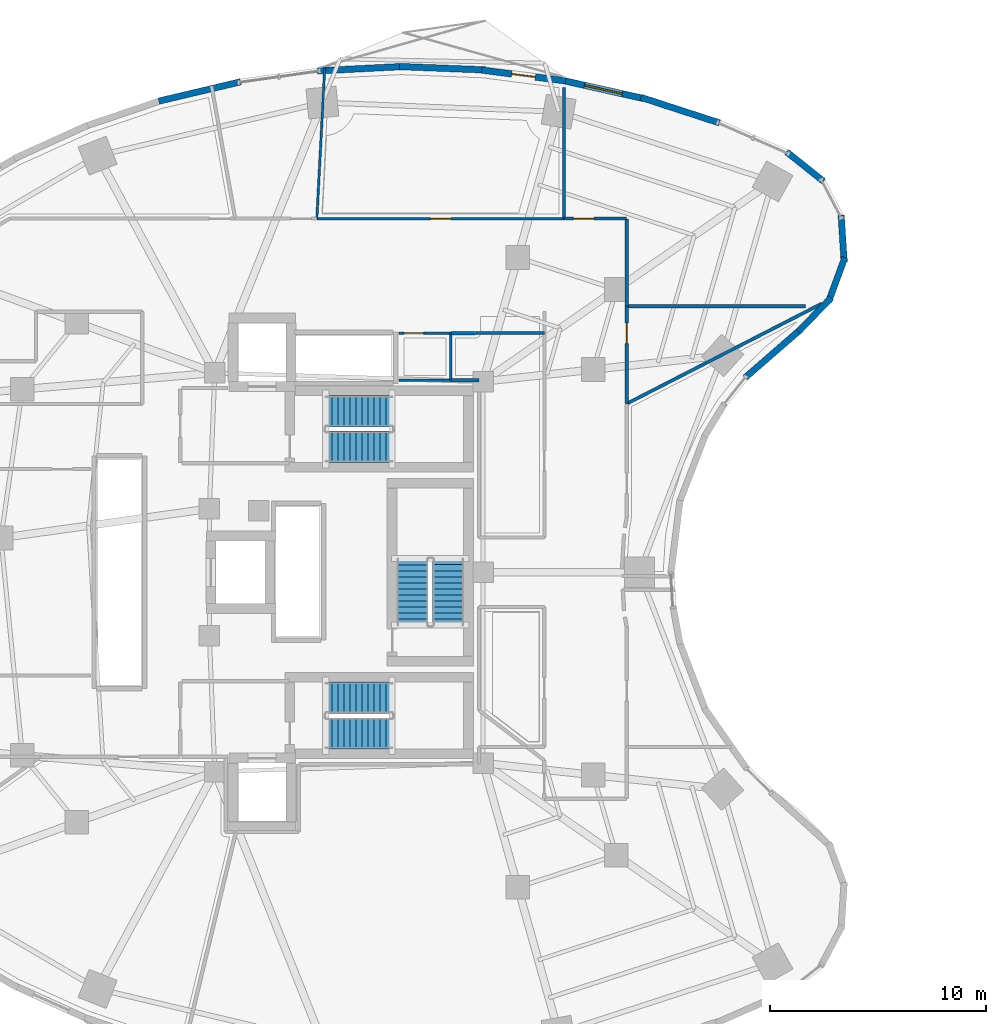
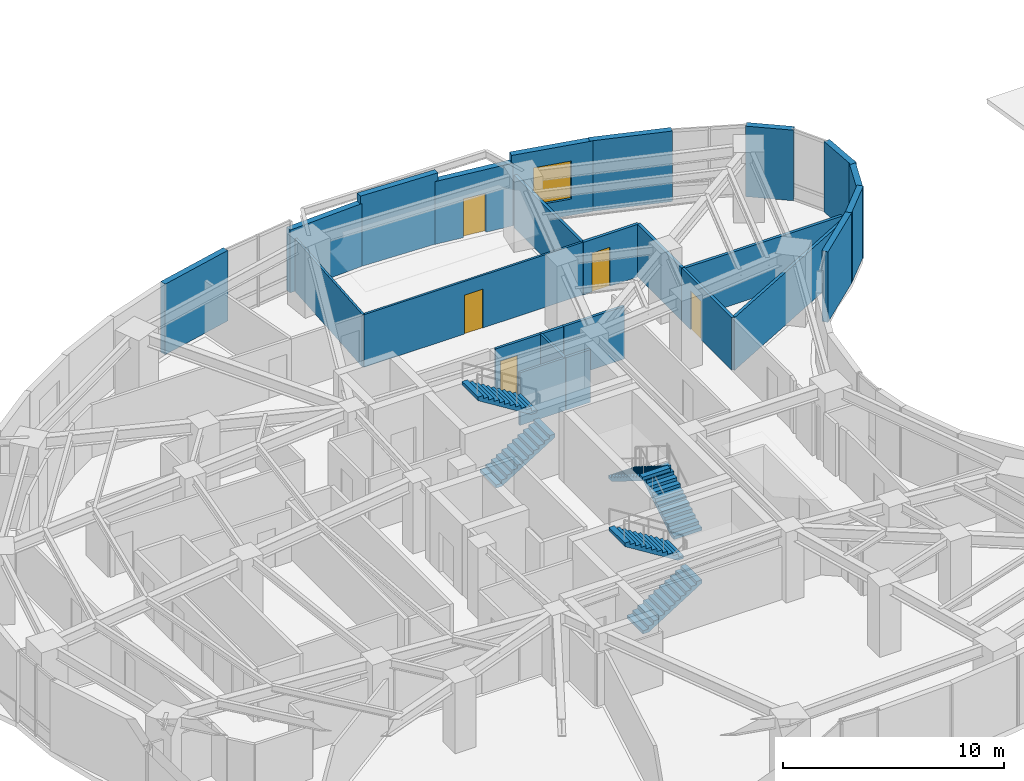
# One storey, part 14 of 17: 25 walls, 6 stair flights, 5 doors, 1 window, 6 openings, 3 elements without a shape of their own.
"""IFC4 building model written with IfcOpenShell, lengths in metres."""

from ifc_helpers import new_model, si_unit, direction, frame, frame_2d, origin, place, context, subcontext, project, spatial, polyline, rectangle, outline, extrude, material, layer, layer_set, type_object, element, fill, aggregate, save


model = new_model("IFC4")

# Units and contexts
model_context = context("Model", 3, precision=1e-05, world=origin(), true_north=direction((0.0, 1.0)))
body_context = subcontext(model_context, "Body", "Model", "MODEL_VIEW")
ifc_project = project(units=[si_unit("LENGTHUNIT", "METRE"), si_unit("AREAUNIT", "SQUARE_METRE"), si_unit("VOLUMEUNIT", "CUBIC_METRE"), si_unit("PLANEANGLEUNIT", "RADIAN"), si_unit("MASSUNIT", "GRAM", prefix="KILO")], contexts=[model_context])

# Site, building, storey
site_placement = place(None, origin())
site = spatial("IfcSite", under=ifc_project, at=site_placement, CompositionType="ELEMENT")
building_placement = place(site_placement, origin())
building = spatial("IfcBuilding", under=site, at=building_placement, Name="Korentha Bioscience Tower", CompositionType="ELEMENT")
storey_placement = place(building_placement, frame((0.0, 0.0, 25.800048828125)))
storey = spatial("IfcBuildingStorey", under=building, at=storey_placement, Name="L05", CompositionType="ELEMENT", Elevation=25.800048828125)

# Wall, opening, door
ifc_material_1 = material(Name="Double-Stud Acoustic Gypsum", Category="gypsum")
ifc_layer_1 = layer(ifc_material_1, 0.14990234375, Name="Double-Stud Acoustic Gypsum")
ifc_layer_set_1 = layer_set([ifc_layer_1], Name="Double-Stud Acoustic Gypsum (IW-L150)")
wall_type_1 = type_object("IfcWallType", Name="Acoustic Laboratory Partition Wall 150", PredefinedType="PARTITIONING", material=ifc_layer_set_1)
wall_1_placement = place(storey_placement, frame((44.2099609375, 34.829833984375, 0.0), z_axis=(0.0, 0.0, 1.0), x_axis=(0.0, 1.0, 0.0)))
wall_1 = element("IfcWall", 1, at=wall_1_placement, inside=storey, type_object=wall_type_1, Name="L05 Robotic Liquid-Handling Suite 09 Entrance Wall", PredefinedType="PARTITIONING", context=body_context, shape_type="SweptSolid", body=[
    extrude(rectangle(XDim=4.51806640625, YDim=0.14990234375, at=frame_2d((2.259033203125, 0.0))), origin(), (0.0, 0.0, 1.0), 2.909912109375),
])
opening_1_placement = place(wall_1_placement, frame((2.77734375, 0.0, 0.0)))
opening_1 = element("IfcOpeningElement", 2, at=opening_1_placement, cuts=wall_1, Name="Opening ID-10L", PredefinedType="OPENING", context=body_context, shape_type="SweptSolid", body=[
    extrude(rectangle(XDim=0.949951171875, YDim=2.14990234375, at=frame_2d((0.47509765625, 1.074951171875))), frame((0.0, 0.08984375, 0.0), z_axis=(0.0, -1.0, 0.0), x_axis=(1.0, 0.0, 0.0)), (0.0, 0.0, 1.0), 0.1796875),
])
ifc_material_2 = material(Name="Phenolic Laminate Timber Core", Category="wood")
door_type_1 = type_object("IfcDoorType", Name="Laboratory Single Leaf Door 950x2150 Left", OperationType="SINGLE_SWING_LEFT", PredefinedType="DOOR", material=ifc_material_2)
door_1_placement = place(opening_1_placement, origin())
door_1 = element("IfcDoor", 3, at=door_1_placement, inside=storey, type_object=door_type_1, Name="L05 Robotic Liquid-Handling Suite 09 Door", OperationType="SINGLE_SWING_LEFT", OverallHeight=2.14990234375, OverallWidth=0.949951171875, PredefinedType="DOOR", context=body_context, shape_type="SweptSolid", body=[
    extrude(rectangle(XDim=0.949951171875, YDim=2.14990234375, at=frame_2d((0.47509765625, 1.074951171875))), frame((0.0, 0.02490234375, 0.0), z_axis=(0.0, -1.0, 0.0), x_axis=(1.0, 0.0, 0.0)), (0.0, 0.0, 1.0), 0.050048828125),
])
fill(opening_1, door_1)

wall_2_placement = place(storey_placement, frame((44.199951171875, 43.409912109375, 0.0), z_axis=(0.0, 0.0, 1.0), x_axis=(-1.0, 0.0, 0.0)))
wall_2 = element("IfcWall", 4, at=wall_2_placement, inside=storey, type_object=wall_type_1, Name="L05 Optical Metrology Darkroom 11 Entrance Wall", PredefinedType="PARTITIONING", context=body_context, shape_type="SweptSolid", body=[
    extrude(rectangle(XDim=2.89794921875, YDim=0.14990234375, at=frame_2d((1.448974609375, 0.0))), origin(), (0.0, 0.0, 1.0), 2.909912109375),
])
opening_2_placement = place(wall_2_placement, frame((1.5126953125, 0.0, 0.0)))
opening_2 = element("IfcOpeningElement", 5, at=opening_2_placement, cuts=wall_2, Name="Opening ID-10L", PredefinedType="OPENING", context=body_context, shape_type="SweptSolid", body=[
    extrude(rectangle(XDim=0.949951171875, YDim=2.14990234375, at=frame_2d((0.47509765625, 1.074951171875))), frame((0.0, 0.08984375, 0.0), z_axis=(0.0, -1.0, 0.0), x_axis=(1.0, 0.0, 0.0)), (0.0, 0.0, 1.0), 0.1796875),
])
door_2_placement = place(opening_2_placement, origin())
door_2 = element("IfcDoor", 6, at=door_2_placement, inside=storey, type_object=door_type_1, Name="L05 Optical Metrology Darkroom 11 Door", OperationType="SINGLE_SWING_LEFT", OverallHeight=2.14990234375, OverallWidth=0.949951171875, PredefinedType="DOOR", context=body_context, shape_type="SweptSolid", body=[
    extrude(rectangle(XDim=0.949951171875, YDim=2.14990234375, at=frame_2d((0.47509765625, 1.074951171875))), frame((0.0, 0.02490234375, 0.0), z_axis=(0.0, -1.0, 0.0), x_axis=(1.0, 0.0, 0.0)), (0.0, 0.0, 1.0), 0.050048828125),
])
fill(opening_2, door_2)

# Walls
wall_3_placement = place(storey_placement, frame((44.2099609375, 34.818603515625, 0.0), z_axis=(0.0, 0.0, 1.0), x_axis=(0.889650018361, 0.456643016842, 0.0)))
element("IfcWall", 7, at=wall_3_placement, inside=storey, type_object=wall_type_1, Name="L05 Interior Partition 050", PredefinedType="PARTITIONING", context=body_context, shape_type="SweptSolid", body=[
    extrude(rectangle(XDim=10.17431640625, YDim=0.14990234375, at=frame_2d((5.087158203125, 0.0))), origin(), (0.0, 0.0, 1.0), 2.909912109375),
])
wall_4_placement = place(storey_placement, frame((44.2099609375, 39.347900390625, 0.0), z_axis=(0.0, 0.0, 1.0), x_axis=(1.0, 0.0, 0.0)))
element("IfcWall", 8, at=wall_4_placement, inside=storey, type_object=wall_type_1, Name="L05 Interior Partition 051", PredefinedType="PARTITIONING", context=body_context, shape_type="SweptSolid", body=[
    extrude(rectangle(XDim=8.298583984375, YDim=0.14990234375, at=frame_2d((4.1494140625, 0.0))), origin(), (0.0, 0.0, 1.0), 2.909912109375),
])
wall_5_placement = place(storey_placement, frame((44.2099609375, 39.35791015625, 0.0), z_axis=(0.0, 0.0, 1.0), x_axis=(0.0, 1.0, 0.0)))
element("IfcWall", 9, at=wall_5_placement, inside=storey, type_object=wall_type_1, Name="L05 Interior Partition 058", PredefinedType="PARTITIONING", context=body_context, shape_type="SweptSolid", body=[
    extrude(rectangle(XDim=4.0419921875, YDim=0.14990234375, at=frame_2d((2.02099609375, 0.0))), origin(), (0.0, 0.0, 1.0), 2.909912109375),
])
wall_6_placement = place(storey_placement, frame((41.302001953125, 43.409912109375, 0.0), z_axis=(0.0, 0.0, 1.0), x_axis=(0.0, 1.0, 0.0)))
element("IfcWall", 10, at=wall_6_placement, inside=storey, type_object=wall_type_1, Name="L05 Interior Partition 059", PredefinedType="PARTITIONING", context=body_context, shape_type="SweptSolid", body=[
    extrude(rectangle(XDim=6.0908203125, YDim=0.14990234375, at=frame_2d((3.04541015625, 0.0))), origin(), (0.0, 0.0, 1.0), 2.909912109375),
])
ifc_material_3 = material(Name="Insulated Aluminium Honeycomb Panel", Category="aluminium")
ifc_layer_2 = layer(ifc_material_3, 0.139892578125, Name="Insulated Aluminium Honeycomb Panel")
ifc_layer_set_2 = layer_set([ifc_layer_2], Name="Insulated Aluminium Honeycomb Panel (IW-F60)")
wall_type_2 = type_object("IfcWallType", Name="Cleanroom Flush Metal Panel Partition 140", PredefinedType="PARTITIONING", material=ifc_layer_set_2)
wall_7_placement = place(storey_placement, frame((36.06005859375, 38.090087890625, 0.0), z_axis=(0.0, 0.0, 1.0), x_axis=(1.0, 0.0, 0.0)))
element("IfcWall", 11, at=wall_7_placement, inside=storey, type_object=wall_type_2, Name="L05 Interior Partition 052", PredefinedType="PARTITIONING", context=body_context, shape_type="SweptSolid", body=[
    extrude(rectangle(XDim=1.139892578125, YDim=0.139892578125, at=frame_2d((0.56982421875, 0.0))), origin(), (0.0, 0.0, 1.0), 2.909912109375),
])
wall_8_placement = place(storey_placement, frame((37.2099609375, 38.10009765625, 0.0), z_axis=(0.0, 0.0, 1.0), x_axis=(1.0, 0.0, 0.0)))
element("IfcWall", 12, at=wall_8_placement, inside=storey, type_object=wall_type_2, Name="L05 Interior Partition 054", PredefinedType="PARTITIONING", context=body_context, shape_type="SweptSolid", body=[
    extrude(rectangle(XDim=3.179931640625, YDim=0.139892578125, at=frame_2d((1.58984375, 0.0))), origin(), (0.0, 0.0, 1.0), 2.909912109375),
])
wall_9_placement = place(storey_placement, frame((37.35009765625, 35.909912109375, 0.0), z_axis=(0.0, 0.0, 1.0), x_axis=(-1.0, 0.0, 0.0)))
element("IfcWall", 13, at=wall_9_placement, inside=storey, type_object=wall_type_2, Name="L05 Interior Partition 057", PredefinedType="PARTITIONING", context=body_context, shape_type="SweptSolid", body=[
    extrude(rectangle(XDim=1.2900390625, YDim=0.139892578125, at=frame_2d((0.64501953125, 0.0))), origin(), (0.0, 0.0, 1.0), 2.909912109375),
])

# Wall, opening, door
ifc_material_4 = material(Name="Fire-Rated Framed Glass", Category="glass")
ifc_layer_3 = layer(ifc_material_4, 0.110107421875, Name="Fire-Rated Framed Glass")
ifc_layer_set_3 = layer_set([ifc_layer_3], Name="Fire-Rated Framed Glass (IW-G110)")
wall_type_3 = type_object("IfcWallType", Name="Demountable Glazed Office Partition 110", PredefinedType="MOVABLE", material=ifc_layer_set_3)
wall_10_placement = place(storey_placement, frame((41.2919921875, 43.409912109375, 0.0), z_axis=(0.0, 0.0, 1.0), x_axis=(-1.0, 0.0, 0.0)))
wall_10 = element("IfcWall", 14, at=wall_10_placement, inside=storey, type_object=wall_type_3, Name="L05 Visiting Faculty Study Office 12 Entrance Wall", PredefinedType="MOVABLE", context=body_context, shape_type="SweptSolid", body=[
    extrude(rectangle(XDim=11.456298828125, YDim=0.110107421875, at=frame_2d((5.72802734375, 0.0))), origin(), (0.0, 0.0, 1.0), 2.909912109375),
])
opening_3_placement = place(wall_10_placement, frame((5.2392578125, 0.0, 0.0)))
opening_3 = element("IfcOpeningElement", 15, at=opening_3_placement, cuts=wall_10, Name="Opening ID-10R", PredefinedType="OPENING", context=body_context, shape_type="SweptSolid", body=[
    extrude(rectangle(XDim=0.949951171875, YDim=2.14990234375, at=frame_2d((0.47509765625, 1.074951171875))), frame((0.0, 0.06982421875, 0.0), z_axis=(0.0, -1.0, 0.0), x_axis=(1.0, 0.0, 0.0)), (0.0, 0.0, 1.0), 0.139892578125),
])
door_type_2 = type_object("IfcDoorType", Name="Laboratory Single Leaf Door 950x2150 Right", OperationType="SINGLE_SWING_RIGHT", PredefinedType="DOOR", material=ifc_material_2)
door_3_placement = place(opening_3_placement, origin())
door_3 = element("IfcDoor", 16, at=door_3_placement, inside=storey, type_object=door_type_2, Name="L05 Visiting Faculty Study Office 12 Door", OperationType="SINGLE_SWING_RIGHT", OverallHeight=2.14990234375, OverallWidth=0.949951171875, PredefinedType="DOOR", context=body_context, shape_type="SweptSolid", body=[
    extrude(rectangle(XDim=0.949951171875, YDim=2.14990234375, at=frame_2d((0.47509765625, 1.074951171875))), frame((0.0, 0.02490234375, 0.0), z_axis=(0.0, -1.0, 0.0), x_axis=(1.0, 0.0, 0.0)), (0.0, 0.0, 1.0), 0.050048828125),
])
fill(opening_3, door_3)

# Wall
wall_11_placement = place(storey_placement, frame((29.835693359375, 43.409912109375, 0.0), z_axis=(0.0, 0.0, 1.0), x_axis=(0.052328125399, 0.998629945121, 0.0)))
element("IfcWall", 17, at=wall_11_placement, inside=storey, type_object=wall_type_3, Name="L05 Interior Partition 060", PredefinedType="MOVABLE", context=body_context, shape_type="SweptSolid", body=[
    extrude(rectangle(XDim=6.998291015625, YDim=0.110107421875, at=frame_2d((3.4990234375, 0.0))), origin(), (0.0, 0.0, 1.0), 2.909912109375),
])

# Wall, opening, window
ifc_material_5 = material(Name="Honed Limestone Precast Concrete C40", Category="masonry")
ifc_layer_4 = layer(ifc_material_5, 0.300048828125, Name="Honed Limestone Precast Concrete C40")
ifc_layer_set_4 = layer_set([ifc_layer_4], Name="Honed Limestone Precast Concrete C40 (EW-ST300)")
wall_type_4 = type_object("IfcWallType", Name="Honed Limestone Cavity Spandrel Wall 300", PredefinedType="STANDARD", material=ifc_layer_set_4)
wall_12_placement = place(storey_placement, frame((45.015869140625, 48.97607421875, 0.0), z_axis=(0.0, 0.0, 1.0), x_axis=(-0.9758772609, 0.218319883791, 0.0)))
wall_12 = element("IfcWall", 18, at=wall_12_placement, inside=storey, type_object=wall_type_4, Name="L05 Honed Limestone Spandrel Wall 03", PredefinedType="STANDARD", context=body_context, shape_type="SweptSolid", body=[
    extrude(rectangle(XDim=3.869140625, YDim=0.300048828125, at=frame_2d((1.9345703125, 0.0))), origin(), (0.0, 0.0, 1.0), 3.89990234375),
])
opening_4_placement = place(wall_12_placement, frame((1.034423828125, 0.0, 0.89990234375)))
opening_4 = element("IfcOpeningElement", 19, at=opening_4_placement, cuts=wall_12, Name="Opening WN-01", PredefinedType="OPENING", context=body_context, shape_type="SweptSolid", body=[
    extrude(rectangle(XDim=1.800048828125, YDim=2.10009765625, at=frame_2d((0.89990234375, 1.050048828125))), frame((0.0, 0.1650390625, 0.0), z_axis=(0.0, -1.0, 0.0), x_axis=(1.0, 0.0, 0.0)), (0.0, 0.0, 1.0), 0.329833984375),
])
ifc_material_6 = material(Name="Thermally Broken Aluminium Triple Glazing", Category="aluminium")
window_type = type_object("IfcWindowType", Name="Triple-Glazed Fixed Bioscience Window 1800x2100", PartitioningType="SINGLE_PANEL", PredefinedType="WINDOW", material=ifc_material_6)
window_placement = place(opening_4_placement, origin())
window = element("IfcWindow", 20, at=window_placement, inside=storey, type_object=window_type, Name="L05 Facade Window 03", OverallHeight=2.10009765625, OverallWidth=1.800048828125, PartitioningType="SINGLE_PANEL", PredefinedType="WINDOW", context=body_context, shape_type="SweptSolid", body=[
    extrude(rectangle(XDim=1.800048828125, YDim=2.10009765625, at=frame_2d((0.89990234375, 1.050048828125))), frame((0.0, 0.030029296875, 0.0), z_axis=(0.0, -1.0, 0.0), x_axis=(1.0, 0.0, 0.0)), (0.0, 0.0, 1.0), 0.06005859375),
])
fill(opening_4, window)

# Wall, opening, door
wall_13_placement = place(storey_placement, frame((41.37255859375, 49.797607421875, 0.0), z_axis=(0.0, 0.0, 1.0), x_axis=(-0.991741322416, 0.128254237408, 0.0)))
wall_13 = element("IfcWall", 21, at=wall_13_placement, inside=storey, type_object=wall_type_4, Name="L05 Balcony Threshold Wall 01", PredefinedType="STANDARD", context=body_context, shape_type="SweptSolid", body=[
    extrude(rectangle(XDim=3.91552734375, YDim=0.300048828125, at=frame_2d((1.957763671875, 0.0))), origin(), (0.0, 0.0, 1.0), 3.469970703125),
])
opening_5_placement = place(wall_13_placement, frame((1.407958984375, 0.0, 0.0)))
opening_5 = element("IfcOpeningElement", 22, at=opening_5_placement, cuts=wall_13, Name="Opening BD-11L", PredefinedType="OPENING", context=body_context, shape_type="SweptSolid", body=[
    extrude(rectangle(XDim=1.10009765625, YDim=2.14990234375, at=frame_2d((0.550048828125, 1.074951171875))), frame((0.0, 0.1650390625, 0.0), z_axis=(0.0, -1.0, 0.0), x_axis=(1.0, 0.0, 0.0)), (0.0, 0.0, 1.0), 0.329833984375),
])
ifc_material_7 = material(Name="Thermally Broken Glazed Aluminium", Category="aluminium")
door_type_3 = type_object("IfcDoorType", Name="Balcony Terrace Glazed Door 1100x2150 Left", OperationType="SINGLE_SWING_LEFT", PredefinedType="DOOR", material=ifc_material_7)
door_4_placement = place(opening_5_placement, origin())
door_4 = element("IfcDoor", 23, at=door_4_placement, inside=storey, type_object=door_type_3, Name="L05 Balcony Access Door 01", OperationType="SINGLE_SWING_LEFT", OverallHeight=2.14990234375, OverallWidth=1.10009765625, PredefinedType="DOOR", context=body_context, shape_type="SweptSolid", body=[
    extrude(rectangle(XDim=1.10009765625, YDim=2.14990234375, at=frame_2d((0.550048828125, 1.074951171875))), frame((0.0, 0.02490234375, 0.0), z_axis=(0.0, -1.0, 0.0), x_axis=(1.0, 0.0, 0.0)), (0.0, 0.0, 1.0), 0.050048828125),
])
fill(opening_5, door_4)

# Walls
wall_14_placement = place(storey_placement, frame((48.524658203125, 47.84912109375, 0.0), z_axis=(0.0, 0.0, 1.0), x_axis=(-0.950965833732, 0.309295947393, 0.0)))
element("IfcWall", 24, at=wall_14_placement, inside=storey, type_object=wall_type_4, Name="L05 Limestone Perimeter Closure Wall 02", PredefinedType="STANDARD", context=body_context, shape_type="SweptSolid", body=[
    extrude(rectangle(XDim=3.840087890625, YDim=0.300048828125, at=frame_2d((1.919921875, 0.0))), origin(), (0.0, 0.0, 1.0), 3.89990234375),
])
wall_15_placement = place(storey_placement, frame((37.643798828125, 50.307861328125, 0.0), z_axis=(0.0, 0.0, 1.0), x_axis=(-0.999245411623, 0.038840794937, 0.0)))
element("IfcWall", 25, at=wall_15_placement, inside=storey, type_object=wall_type_4, Name="L05 Limestone Perimeter Closure Wall 05", PredefinedType="STANDARD", context=body_context, shape_type="SweptSolid", body=[
    extrude(rectangle(XDim=3.978759765625, YDim=0.300048828125, at=frame_2d((1.9892578125, 0.0))), origin(), (0.0, 0.0, 1.0), 3.89990234375),
])
wall_16_placement = place(storey_placement, frame((33.84033203125, 50.46337890625, 0.0), z_axis=(0.0, 0.0, 1.0), x_axis=(-0.998732359232, -0.050335619826, 0.0)))
element("IfcWall", 26, at=wall_16_placement, inside=storey, type_object=wall_type_4, Name="L05 Limestone Perimeter Closure Wall 06", PredefinedType="STANDARD", context=body_context, shape_type="SweptSolid", body=[
    extrude(rectangle(XDim=3.977294921875, YDim=0.300048828125, at=frame_2d((1.98876953125, 0.0))), origin(), (0.0, 0.0, 1.0), 3.469970703125),
])
wall_17_placement = place(storey_placement, frame((26.29736328125, 49.7587890625, 0.0), z_axis=(0.0, 0.0, 1.0), x_axis=(-0.973197600754, -0.229970497863, 0.0)))
element("IfcWall", 27, at=wall_17_placement, inside=storey, type_object=wall_type_4, Name="L05 Limestone Perimeter Closure Wall 08", PredefinedType="STANDARD", context=body_context, shape_type="SweptSolid", body=[
    extrude(rectangle(XDim=3.9013671875, YDim=0.300048828125, at=frame_2d((1.95068359375, 0.0))), origin(), (0.0, 0.0, 1.0), 3.89990234375),
])
wall_18_placement = place(storey_placement, frame((49.708984375, 36.029296875, 0.0), z_axis=(0.0, 0.0, 1.0), x_axis=(0.754746490246, 0.656016566454, 0.0)))
element("IfcWall", 28, at=wall_18_placement, inside=storey, type_object=wall_type_4, Name="L05 Limestone Perimeter Closure Wall 56", PredefinedType="STANDARD", context=body_context, shape_type="SweptSolid", body=[
    extrude(rectangle(XDim=3.4296875, YDim=0.300048828125, at=frame_2d((1.71484375, 0.0))), origin(), (0.0, 0.0, 1.0), 3.89990234375),
])
wall_19_placement = place(storey_placement, frame((52.1728515625, 38.1611328125, 0.0), z_axis=(0.0, 0.0, 1.0), x_axis=(0.695404695719, 0.718618333451, 0.0)))
element("IfcWall", 29, at=wall_19_placement, inside=storey, type_object=wall_type_4, Name="L05 Limestone Perimeter Closure Wall 58", PredefinedType="STANDARD", context=body_context, shape_type="SweptSolid", body=[
    extrude(rectangle(XDim=2.1875, YDim=0.300048828125, at=frame_2d((1.09375, 0.0))), origin(), (0.0, 0.0, 1.0), 3.89990234375),
])
for number, where, z_axis, x_axis, name in (
    (30, (53.580078125, 39.551513671875, 0.0), (0.0, 0.0, 1.0), (0.344939866054, 0.938624785954, 0.0), "L05 Limestone Perimeter Closure Wall 59"),
    (31, (54.303955078125, 41.392578125, 0.0), (0.0, 0.0, 1.0), (-0.064615302336, 0.99791024782, 0.0), "L05 Limestone Perimeter Closure Wall 60"),
    (32, (53.343994140625, 45.142822265625, 0.0), (0.0, 0.0, 1.0), (-0.782282158644, 0.622924252432, 0.0), "L05 Limestone Perimeter Closure Wall 62"),
):
    element("IfcWall", number, at=place(storey_placement, frame(where, z_axis=z_axis, x_axis=x_axis)), inside=storey, type_object=wall_type_4, Name=name, PredefinedType="STANDARD", context=body_context, shape_type="SweptSolid", body=[
        extrude(rectangle(XDim=2.187744140625, YDim=0.300048828125, at=frame_2d((1.09375, 0.0))), origin(), (0.0, 0.0, 1.0), 3.89990234375),
    ])

# Wall, opening, door
ifc_material_8 = material(Name="Cement-Board Steel Stud", Category="steel")
ifc_layer_5 = layer(ifc_material_8, 0.1298828125, Name="Cement-Board Steel Stud")
ifc_layer_set_5 = layer_set([ifc_layer_5], Name="Cement-Board Steel Stud (IW-W130)")
wall_type_5 = type_object("IfcWallType", Name="Wet-Area Moisture-Resistant Partition 130", PredefinedType="PARTITIONING", material=ifc_layer_set_5)
wall_20_placement = place(storey_placement, frame((33.64990234375, 38.090087890625, 0.0), z_axis=(0.0, 0.0, 1.0), x_axis=(1.0, 0.0, 0.0)))
wall_20 = element("IfcWall", 33, at=wall_20_placement, inside=storey, type_object=wall_type_5, Name="L05 Accessible Staff WC Entrance Wall", PredefinedType="PARTITIONING", context=body_context, shape_type="SweptSolid", body=[
    extrude(rectangle(XDim=2.400146484375, YDim=0.1298828125, at=frame_2d((1.2001953125, 0.0))), origin(), (0.0, 0.0, 1.0), 2.909912109375),
])
opening_6_placement = place(wall_20_placement, frame((0.239990234375, 0.0, 0.0)))
opening_6 = element("IfcOpeningElement", 34, at=opening_6_placement, cuts=wall_20, Name="Opening ID-09R", PredefinedType="OPENING", context=body_context, shape_type="SweptSolid", body=[
    extrude(rectangle(XDim=0.89990234375, YDim=2.14990234375, at=frame_2d((0.449951171875, 1.074951171875))), frame((0.0, 0.079833984375, 0.0), z_axis=(0.0, -1.0, 0.0), x_axis=(1.0, 0.0, 0.0)), (0.0, 0.0, 1.0), 0.15966796875),
])
ifc_material_9 = material(Name="Moisture-Resistant HPL Leaf", Category="wood")
door_type_4 = type_object("IfcDoorType", Name="Restroom & Accessible WC Door 900x2150 Right", OperationType="SINGLE_SWING_RIGHT", PredefinedType="DOOR", material=ifc_material_9)
door_5_placement = place(opening_6_placement, origin())
door_5 = element("IfcDoor", 35, at=door_5_placement, inside=storey, type_object=door_type_4, Name="L05 Accessible Staff WC Door", OperationType="SINGLE_SWING_RIGHT", OverallHeight=2.14990234375, OverallWidth=0.89990234375, PredefinedType="DOOR", context=body_context, shape_type="SweptSolid", body=[
    extrude(rectangle(XDim=0.89990234375, YDim=2.14990234375, at=frame_2d((0.449951171875, 1.074951171875))), frame((0.0, 0.02490234375, 0.0), z_axis=(0.0, -1.0, 0.0), x_axis=(1.0, 0.0, 0.0)), (0.0, 0.0, 1.0), 0.050048828125),
])
fill(opening_6, door_5)

# Walls
wall_21_placement = place(storey_placement, frame((36.050048828125, 35.909912109375, 0.0), z_axis=(0.0, 0.0, 1.0), x_axis=(-1.0, 0.0, 0.0)))
element("IfcWall", 36, at=wall_21_placement, inside=storey, type_object=wall_type_5, Name="L05 Interior Partition 018", PredefinedType="PARTITIONING", context=body_context, shape_type="SweptSolid", body=[
    extrude(rectangle(XDim=2.400146484375, YDim=0.1298828125, at=frame_2d((1.2001953125, 0.0))), origin(), (0.0, 0.0, 1.0), 2.909912109375),
])
wall_22_placement = place(storey_placement, frame((36.050048828125, 38.090087890625, 0.0), z_axis=(0.0, 0.0, 1.0), x_axis=(0.0, -1.0, 0.0)))
element("IfcWall", 37, at=wall_22_placement, inside=storey, type_object=wall_type_5, Name="L05 Interior Partition 019", PredefinedType="PARTITIONING", context=body_context, shape_type="SweptSolid", body=[
    extrude(rectangle(XDim=2.18017578125, YDim=0.1298828125, at=frame_2d((1.090087890625, 0.0))), origin(), (0.0, 0.0, 1.0), 2.909912109375),
])

# Stair, stair flights
ifc_material_10 = material(Name="Precast Concrete C50", Category="concrete")
stair_type = type_object("IfcStairType", Name="Core Exit Dog-Leg Stair 1450", PredefinedType="HALF_TURN_STAIR", material=ifc_material_10)
stair_1_placement = place(storey_placement, origin())
stair_1 = element("IfcStair", 38, at=stair_1_placement, inside=storey, type_object=stair_type, Name="L05 Tower North Pressurized Exit Stair ST-1", PredefinedType="HALF_TURN_STAIR")
stair_flight_type = type_object("IfcStairFlightType", Name="Core Exit Dog-Leg Stair 1450 Flight", PredefinedType="STRAIGHT", material=ifc_material_10)
stair_flight_1_placement = place(storey_placement, frame((30.25, 32.824951171875, 0.0), z_axis=(0.0, 0.0, 1.0), x_axis=(1.0, 0.0, 0.0)))
stair_flight_1 = element("IfcStairFlight", 39, at=stair_flight_1_placement, type_object=stair_flight_type, Name="ST-1 flight 1", NumberOfRisers=12, NumberOfTreads=11, PredefinedType="STRAIGHT", RiserHeight=0.175, TreadLength=0.28, context=body_context, shape_type="SweptSolid", body=[
    extrude(outline(polyline([(0.0, 0.0), (0.0, 0.175048828125), (0.280029296875, 0.175048828125), (0.280029296875, 0.35009765625), (0.56005859375, 0.35009765625), (0.56005859375, 0.52490234375), (0.840087890625, 0.52490234375), (0.840087890625, 0.699951171875), (1.1201171875, 0.699951171875), (1.1201171875, 0.875), (1.39990234375, 0.875), (1.39990234375, 1.050048828125), (1.679931640625, 1.050048828125), (1.679931640625, 1.22509765625), (1.9599609375, 1.22509765625), (1.9599609375, 1.39990234375), (2.239990234375, 1.39990234375), (2.239990234375, 1.574951171875), (2.52001953125, 1.574951171875), (2.52001953125, 1.75), (2.800048828125, 1.75), (2.800048828125, 1.925048828125), (3.080078125, 1.925048828125), (3.080078125, 2.10009765625), (3.080078125, 1.736328125), (0.3017578125, 0.0), (0.0, 0.0)])), frame((0.0, 0.72509765625, 0.0), z_axis=(0.0, -1.0, 0.0), x_axis=(1.0, 0.0, 0.0)), (0.0, 0.0, 1.0), 1.449951171875),
])
stair_flight_2_placement = place(storey_placement, frame((33.330078125, 34.47509765625, 2.099853515625), z_axis=(0.0, 0.0, 1.0), x_axis=(-1.0, 0.0, 0.0)))
stair_flight_2 = element("IfcStairFlight", 40, at=stair_flight_2_placement, type_object=stair_flight_type, Name="ST-1 flight 2", NumberOfRisers=12, NumberOfTreads=11, PredefinedType="STRAIGHT", RiserHeight=0.175, TreadLength=0.28, context=body_context, shape_type="SweptSolid", body=[
    extrude(outline(polyline([(0.0, 0.0), (0.0, 0.175048828125), (0.280029296875, 0.175048828125), (0.280029296875, 0.35009765625), (0.56005859375, 0.35009765625), (0.56005859375, 0.52490234375), (0.840087890625, 0.52490234375), (0.840087890625, 0.699951171875), (1.1201171875, 0.699951171875), (1.1201171875, 0.875), (1.39990234375, 0.875), (1.39990234375, 1.050048828125), (1.679931640625, 1.050048828125), (1.679931640625, 1.22509765625), (1.9599609375, 1.22509765625), (1.9599609375, 1.39990234375), (2.239990234375, 1.39990234375), (2.239990234375, 1.574951171875), (2.52001953125, 1.574951171875), (2.52001953125, 1.75), (2.800048828125, 1.75), (2.800048828125, 1.925048828125), (3.080078125, 1.925048828125), (3.080078125, 2.10009765625), (3.080078125, 1.736328125), (0.3017578125, 0.0), (0.0, 0.0)])), frame((0.0, 0.72509765625, 0.0), z_axis=(0.0, -1.0, 0.0), x_axis=(1.0, 0.0, 0.0)), (0.0, 0.0, 1.0), 1.449951171875),
])
aggregate(stair_1, [stair_flight_1, stair_flight_2])

stair_2_placement = place(storey_placement, origin())
stair_2 = element("IfcStair", 41, at=stair_2_placement, inside=storey, type_object=stair_type, Name="L05 Tower South Pressurized Exit Stair ST-2", PredefinedType="HALF_TURN_STAIR")
stair_flight_3_placement = place(storey_placement, frame((30.25, 19.52490234375, 0.0), z_axis=(0.0, 0.0, 1.0), x_axis=(1.0, 0.0, 0.0)))
stair_flight_3 = element("IfcStairFlight", 42, at=stair_flight_3_placement, type_object=stair_flight_type, Name="ST-2 flight 1", NumberOfRisers=12, NumberOfTreads=11, PredefinedType="STRAIGHT", RiserHeight=0.175, TreadLength=0.28, context=body_context, shape_type="SweptSolid", body=[
    extrude(outline(polyline([(0.0, 0.0), (0.0, 0.175048828125), (0.280029296875, 0.175048828125), (0.280029296875, 0.35009765625), (0.56005859375, 0.35009765625), (0.56005859375, 0.52490234375), (0.840087890625, 0.52490234375), (0.840087890625, 0.699951171875), (1.1201171875, 0.699951171875), (1.1201171875, 0.875), (1.39990234375, 0.875), (1.39990234375, 1.050048828125), (1.679931640625, 1.050048828125), (1.679931640625, 1.22509765625), (1.9599609375, 1.22509765625), (1.9599609375, 1.39990234375), (2.239990234375, 1.39990234375), (2.239990234375, 1.574951171875), (2.52001953125, 1.574951171875), (2.52001953125, 1.75), (2.800048828125, 1.75), (2.800048828125, 1.925048828125), (3.080078125, 1.925048828125), (3.080078125, 2.10009765625), (3.080078125, 1.736328125), (0.3017578125, 0.0), (0.0, 0.0)])), frame((0.0, 0.72509765625, 0.0), z_axis=(0.0, -1.0, 0.0), x_axis=(1.0, 0.0, 0.0)), (0.0, 0.0, 1.0), 1.449951171875),
])
stair_flight_4_placement = place(storey_placement, frame((33.330078125, 21.175048828125, 2.099853515625), z_axis=(0.0, 0.0, 1.0), x_axis=(-1.0, 0.0, 0.0)))
stair_flight_4 = element("IfcStairFlight", 43, at=stair_flight_4_placement, type_object=stair_flight_type, Name="ST-2 flight 2", NumberOfRisers=12, NumberOfTreads=11, PredefinedType="STRAIGHT", RiserHeight=0.175, TreadLength=0.28, context=body_context, shape_type="SweptSolid", body=[
    extrude(outline(polyline([(0.0, 0.0), (0.0, 0.175048828125), (0.280029296875, 0.175048828125), (0.280029296875, 0.35009765625), (0.56005859375, 0.35009765625), (0.56005859375, 0.52490234375), (0.840087890625, 0.52490234375), (0.840087890625, 0.699951171875), (1.1201171875, 0.699951171875), (1.1201171875, 0.875), (1.39990234375, 0.875), (1.39990234375, 1.050048828125), (1.679931640625, 1.050048828125), (1.679931640625, 1.22509765625), (1.9599609375, 1.22509765625), (1.9599609375, 1.39990234375), (2.239990234375, 1.39990234375), (2.239990234375, 1.574951171875), (2.52001953125, 1.574951171875), (2.52001953125, 1.75), (2.800048828125, 1.75), (2.800048828125, 1.925048828125), (3.080078125, 1.925048828125), (3.080078125, 2.10009765625), (3.080078125, 1.736328125), (0.3017578125, 0.0), (0.0, 0.0)])), frame((0.0, 0.72509765625, 0.0), z_axis=(0.0, -1.0, 0.0), x_axis=(1.0, 0.0, 0.0)), (0.0, 0.0, 1.0), 1.449951171875),
])
aggregate(stair_2, [stair_flight_3, stair_flight_4])

stair_3_placement = place(storey_placement, origin())
stair_3 = element("IfcStair", 44, at=stair_3_placement, inside=storey, type_object=stair_type, Name="L05 Tower Central Pressurized Exit Stair ST-3", PredefinedType="HALF_TURN_STAIR")
stair_flight_5_placement = place(storey_placement, frame((35.925048828125, 24.550048828125, 0.0), z_axis=(0.0, 0.0, 1.0), x_axis=(0.0, 1.0, 0.0)))
stair_flight_5 = element("IfcStairFlight", 45, at=stair_flight_5_placement, type_object=stair_flight_type, Name="ST-3 flight 1", NumberOfRisers=12, NumberOfTreads=11, PredefinedType="STRAIGHT", RiserHeight=0.175, TreadLength=0.28, context=body_context, shape_type="SweptSolid", body=[
    extrude(outline(polyline([(0.0, 0.0), (0.0, 0.175048828125), (0.280029296875, 0.175048828125), (0.280029296875, 0.35009765625), (0.56005859375, 0.35009765625), (0.56005859375, 0.52490234375), (0.840087890625, 0.52490234375), (0.840087890625, 0.699951171875), (1.1201171875, 0.699951171875), (1.1201171875, 0.875), (1.39990234375, 0.875), (1.39990234375, 1.050048828125), (1.679931640625, 1.050048828125), (1.679931640625, 1.22509765625), (1.9599609375, 1.22509765625), (1.9599609375, 1.39990234375), (2.239990234375, 1.39990234375), (2.239990234375, 1.574951171875), (2.52001953125, 1.574951171875), (2.52001953125, 1.75), (2.800048828125, 1.75), (2.800048828125, 1.925048828125), (3.080078125, 1.925048828125), (3.080078125, 2.10009765625), (3.080078125, 1.736328125), (0.3017578125, 0.0), (0.0, 0.0)])), frame((0.0, 0.72509765625, 0.0), z_axis=(0.0, -1.0, 0.0), x_axis=(1.0, 0.0, 0.0)), (0.0, 0.0, 1.0), 1.449951171875),
])
stair_flight_6_placement = place(storey_placement, frame((34.27490234375, 27.6298828125, 2.099853515625), z_axis=(0.0, 0.0, 1.0), x_axis=(0.0, -1.0, 0.0)))
stair_flight_6 = element("IfcStairFlight", 46, at=stair_flight_6_placement, type_object=stair_flight_type, Name="ST-3 flight 2", NumberOfRisers=12, NumberOfTreads=11, PredefinedType="STRAIGHT", RiserHeight=0.175, TreadLength=0.28, context=body_context, shape_type="SweptSolid", body=[
    extrude(outline(polyline([(0.0, 0.0), (0.0, 0.175048828125), (0.280029296875, 0.175048828125), (0.280029296875, 0.35009765625), (0.56005859375, 0.35009765625), (0.56005859375, 0.52490234375), (0.840087890625, 0.52490234375), (0.840087890625, 0.699951171875), (1.1201171875, 0.699951171875), (1.1201171875, 0.875), (1.39990234375, 0.875), (1.39990234375, 1.050048828125), (1.679931640625, 1.050048828125), (1.679931640625, 1.22509765625), (1.9599609375, 1.22509765625), (1.9599609375, 1.39990234375), (2.239990234375, 1.39990234375), (2.239990234375, 1.574951171875), (2.52001953125, 1.574951171875), (2.52001953125, 1.75), (2.800048828125, 1.75), (2.800048828125, 1.925048828125), (3.080078125, 1.925048828125), (3.080078125, 2.10009765625), (3.080078125, 1.736328125), (0.3017578125, 0.0), (0.0, 0.0)])), frame((0.0, 0.72509765625, 0.0), z_axis=(0.0, -1.0, 0.0), x_axis=(1.0, 0.0, 0.0)), (0.0, 0.0, 1.0), 1.449951171875),
])
aggregate(stair_3, [stair_flight_5, stair_flight_6])

save(model, "model.ifc")
